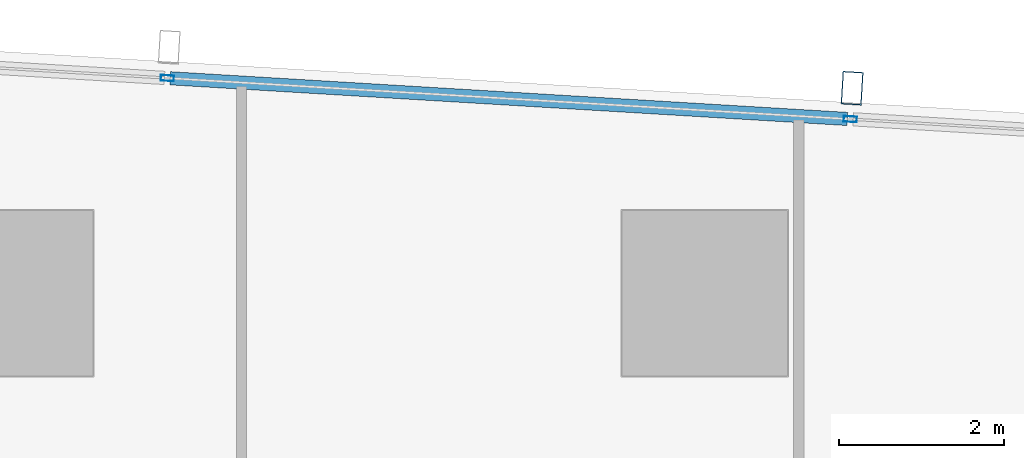
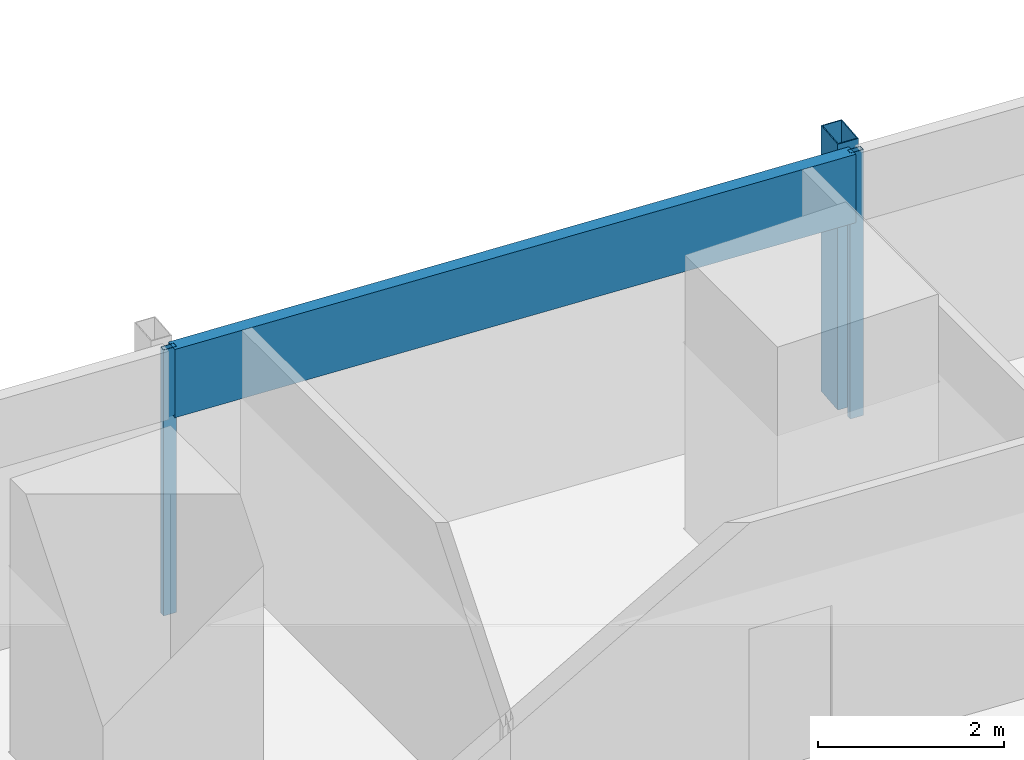
# One storey, part 19 of 39: 4 members, 1 element without a shape of its own.
"""IFC4 building model written with IfcOpenShell, lengths in metres."""

from ifc_helpers import new_model, si_unit, direction, frame, origin, origin_2d, place, context, subcontext, project, spatial, hollow_rectangle, extrude, material, material_profile, profile_set, type_object, element, aggregate, save


model = new_model("IFC4")

# Units and contexts
model_context = context("Model", 3, precision=1e-05, world=origin(), true_north=direction((0.0, 1.0)))
body_context = subcontext(model_context, "Body", "Model", "MODEL_VIEW")
ifc_project = project(units=[si_unit("LENGTHUNIT", "METRE"), si_unit("AREAUNIT", "SQUARE_METRE"), si_unit("VOLUMEUNIT", "CUBIC_METRE"), si_unit("PLANEANGLEUNIT", "RADIAN"), si_unit("MASSUNIT", "GRAM", prefix="KILO")], contexts=[model_context])

# Site, building, storey
site_placement = place(None, origin())
site = spatial("IfcSite", under=ifc_project, at=site_placement, CompositionType="ELEMENT")
building_placement = place(site_placement, origin())
building = spatial("IfcBuilding", under=site, at=building_placement, Name="Rekha Terrace Tower", CompositionType="ELEMENT")
storey_placement = place(building_placement, frame((0.0, 0.0, 147.800048828125)))
storey = spatial("IfcBuildingStorey", under=building, at=storey_placement, Name="L37", CompositionType="ELEMENT", Elevation=147.800048828125)

# Curtain wall, members
ifc_material_1 = material(Name="Aluminium framing", Category="aluminium")
curtain_wall_type = type_object("IfcCurtainWallType", Name="CW3 north unitised glazing", PredefinedType="USERDEFINED", material=ifc_material_1)
curtain_wall_placement = place(storey_placement, origin())
curtain_wall = element("IfcCurtainWall", 1, at=curtain_wall_placement, inside=storey, type_object=curtain_wall_type, Name="CW3 unitised curtain wall", ObjectType="UNITISED CURTAIN WALL", PredefinedType="USERDEFINED")
ifc_material_2 = material(Name="Steel S355 with fluorocarbon finish", Category="steel")
ifc_material_profile_1 = material_profile(ifc_material_2, hollow_rectangle(XDim=0.25, YDim=0.39990234375, WallThickness=0.012451171875, at=origin_2d()), Name="RHS400x250x12.5")
ifc_profile_set_1 = profile_set([ifc_material_profile_1], Name="Steel S355 with fluorocarbon finish")
member_type_1 = type_object("IfcMemberType", Name="BL1 facade blade RHS 400 x 250", PredefinedType="USERDEFINED", material=ifc_profile_set_1)
member_1_placement = place(storey_placement, frame((60.583740234375, 61.281005859375, 0.0), z_axis=(0.0, 0.0, 1.0), x_axis=(-0.998199123409, 0.059987582268, 0.0)))
member_1 = element("IfcMember", 2, at=member_1_placement, type_object=member_type_1, Name="Facade blade", ObjectType="FACADE BLADE", PredefinedType="USERDEFINED", context=body_context, shape_type="SweptSolid", body=[
    extrude(hollow_rectangle(XDim=0.25, YDim=0.39990234375, WallThickness=0.012451171875, at=origin_2d()), origin(), (0.0, 0.0, 1.0), 3.5),
])
ifc_material_3 = material(Name="Aluminium mullion section", Category="aluminium")
ifc_material_profile_2 = material_profile(ifc_material_3, hollow_rectangle(XDim=0.070068359375, YDim=0.159912109375, WallThickness=0.00390625, at=origin_2d()), Name="AL RHS 70x160")
ifc_profile_set_2 = profile_set([ifc_material_profile_2], Name="Aluminium mullion section")
member_type_2 = type_object("IfcMemberType", Name="CW3 mullion RHS 70 x 160", PredefinedType="MULLION", material=ifc_profile_set_2)
member_2_placement = place(storey_placement, frame((60.561279296875, 60.90673828125, 0.0), z_axis=(0.0, 0.0, 1.0), x_axis=(-0.059987926837, -0.998199102701, 0.0)))
member_2 = element("IfcMember", 3, at=member_2_placement, type_object=member_type_2, Name="CW3 mullion 2", PredefinedType="MULLION", context=body_context, shape_type="SweptSolid", body=[
    extrude(hollow_rectangle(XDim=0.070068359375, YDim=0.159912109375, WallThickness=0.00390625, at=origin_2d()), origin(), (0.0, 0.0, 1.0), 3.5),
])
member_3_placement = place(storey_placement, frame((52.299560546875, 61.4033203125, 0.0), z_axis=(0.0, 0.0, 1.0), x_axis=(-0.059987926837, -0.998199102701, 0.0)))
member_3 = element("IfcMember", 4, at=member_3_placement, type_object=member_type_2, Name="CW3 mullion 3", PredefinedType="MULLION", context=body_context, shape_type="SweptSolid", body=[
    extrude(hollow_rectangle(XDim=0.070068359375, YDim=0.159912109375, WallThickness=0.00390625, at=origin_2d()), origin(), (0.0, 0.0, 1.0), 3.5),
])
ifc_material_4 = material(Name="Insulated aluminium spandrel box", Category="aluminium")
ifc_material_profile_3 = material_profile(ifc_material_4, hollow_rectangle(XDim=0.159912109375, YDim=0.89990234375, WallThickness=0.0029296875, at=origin_2d()), Name="AL SPANDREL BOX 160x900")
ifc_profile_set_3 = profile_set([ifc_material_profile_3], Name="Insulated aluminium spandrel box")
member_type_3 = type_object("IfcMemberType", Name="CW3 spandrel transom 160 x 900", PredefinedType="USERDEFINED", material=ifc_profile_set_3)
member_4_placement = place(storey_placement, frame((60.5263671875, 60.908935546875, 3.050048828125), z_axis=(-0.998199826332, 0.059975884418, 0.0), x_axis=(-0.059975884418, -0.998199826332, 0.0)))
member_4 = element("IfcMember", 5, at=member_4_placement, type_object=member_type_3, Name="CW3 spandrel transom 2", ObjectType="TRANSOM", PredefinedType="USERDEFINED", context=body_context, shape_type="SweptSolid", body=[
    extrude(hollow_rectangle(XDim=0.159912109375, YDim=0.89990234375, WallThickness=0.0029296875, at=origin_2d()), origin(), (0.0, 0.0, 1.0), 8.20654296875),
])
aggregate(curtain_wall, [member_2, member_3, member_4, member_1])

save(model, "model.ifc")
